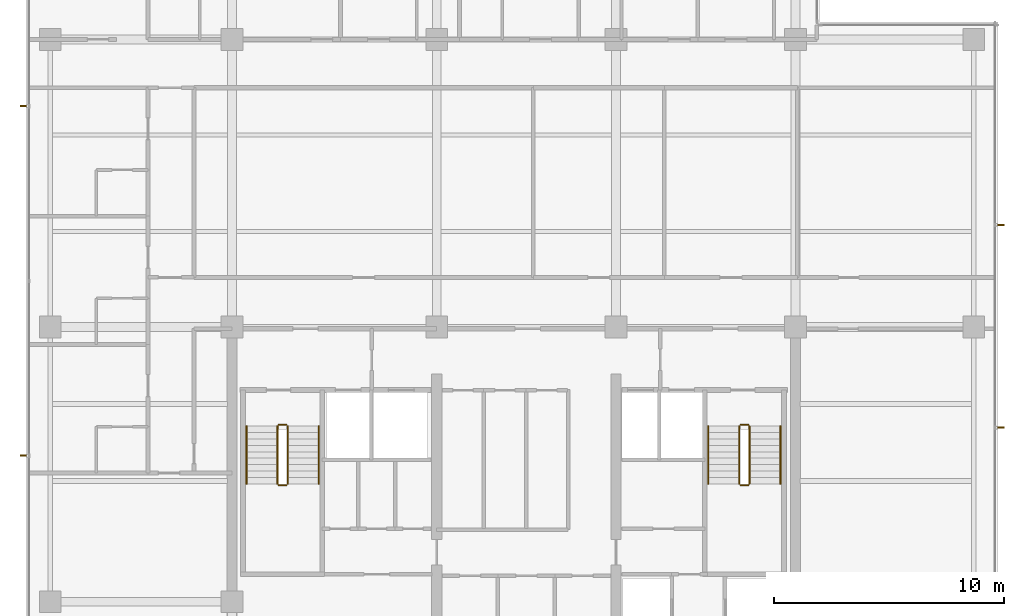
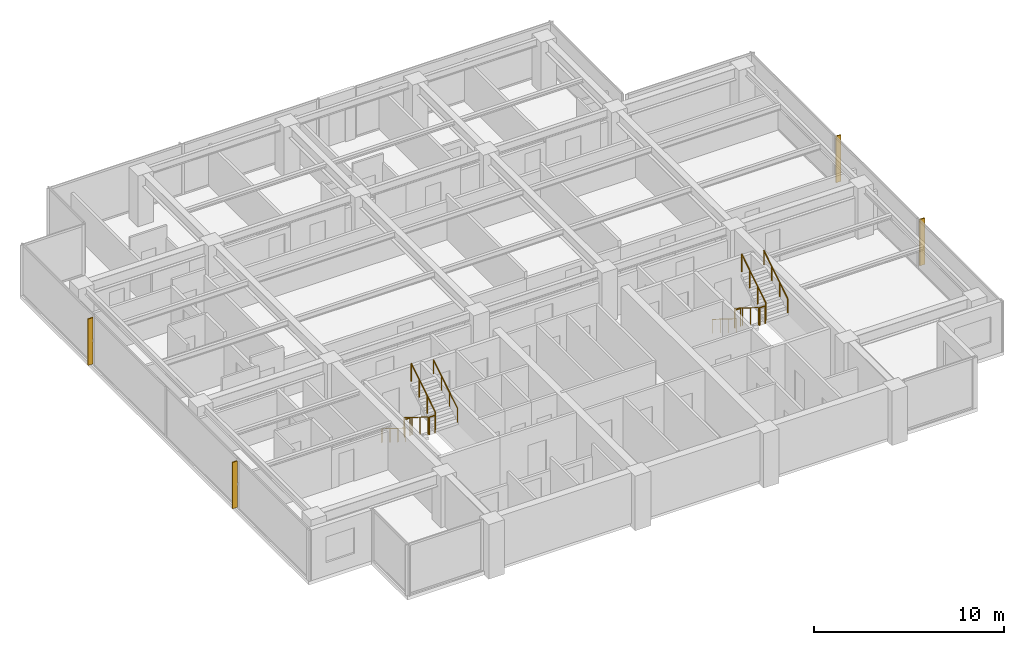
# One storey, part 14 of 15: 12 railings, 4 shading devices.
"""IFC4 building model written with IfcOpenShell, lengths in metres."""

from ifc_helpers import new_model, si_unit, direction, frame, origin, origin_2d, place, context, subcontext, project, spatial, polyline, circle, outline, extrude, material, layer, layer_set, type_object, element, save


model = new_model("IFC4")

# Units and contexts
model_context = context("Model", 3, precision=1e-05, world=origin(), true_north=direction((0.0, 1.0)))
body_context = subcontext(model_context, "Body", "Model", "MODEL_VIEW")
ifc_project = project(units=[si_unit("LENGTHUNIT", "METRE"), si_unit("AREAUNIT", "SQUARE_METRE"), si_unit("VOLUMEUNIT", "CUBIC_METRE"), si_unit("PLANEANGLEUNIT", "RADIAN"), si_unit("MASSUNIT", "GRAM", prefix="KILO")], contexts=[model_context])

# Site, building, storey
site_placement = place(None, origin())
site = spatial("IfcSite", under=ifc_project, at=site_placement, CompositionType="ELEMENT")
building_placement = place(site_placement, origin())
building = spatial("IfcBuilding", under=site, at=building_placement, Name="Qalmaran Belvedere Hotel", CompositionType="ELEMENT")
storey_placement = place(building_placement, frame((0.0, 0.0, 196.89990234375)))
storey = spatial("IfcBuildingStorey", under=building, at=storey_placement, Name="L49", CompositionType="ELEMENT", Elevation=196.89990234375)

# Shading devices
ifc_material_1 = material(Name="Anodised Bronze Aluminium", Category="aluminium")
ifc_layer = layer(ifc_material_1, 0.06494140625, Name="Anodised Bronze Aluminium")
ifc_layer_set = layer_set([ifc_layer], Name="Anodised Bronze Aluminium")
shading_device_type = type_object("IfcShadingDeviceType", Name="FIN-BRNZ-300", PredefinedType="USERDEFINED", material=ifc_layer_set)
shading_device_1_placement = place(storey_placement, frame((0.0, 0.0, 0.16015625)))
element("IfcShadingDevice", 1, at=shading_device_1_placement, inside=storey, type_object=shading_device_type, Name="L49 Bronze Fin 1", ObjectType="FIN", PredefinedType="USERDEFINED", context=body_context, shape_type="SweptSolid", body=[
    extrude(outline(polyline([(53.5673828125, 16.084228515625), (53.867431640625, 16.084228515625), (53.867431640625, 16.149169921875), (53.5673828125, 16.149169921875), (53.5673828125, 16.084228515625)])), origin(), (0.0, 0.0, 1.0), 2.97998046875),
])
shading_device_2_placement = place(storey_placement, frame((0.0, 0.0, 0.16015625)))
element("IfcShadingDevice", 2, at=shading_device_2_placement, inside=storey, type_object=shading_device_type, Name="L49 Bronze Fin 2", ObjectType="FIN", PredefinedType="USERDEFINED", context=body_context, shape_type="SweptSolid", body=[
    extrude(outline(polyline([(53.5673828125, 24.90087890625), (53.867431640625, 24.90087890625), (53.867431640625, 24.9658203125), (53.5673828125, 24.9658203125), (53.5673828125, 24.90087890625)])), origin(), (0.0, 0.0, 1.0), 2.97998046875),
])
shading_device_3_placement = place(storey_placement, frame((0.0, 0.0, 0.16015625)))
element("IfcShadingDevice", 3, at=shading_device_3_placement, inside=storey, type_object=shading_device_type, Name="L49 Bronze Fin 1", ObjectType="FIN", PredefinedType="USERDEFINED", context=body_context, shape_type="SweptSolid", body=[
    extrude(outline(polyline([(11.382568359375, 30.132568359375), (11.08251953125, 30.132568359375), (11.08251953125, 30.0673828125), (11.382568359375, 30.0673828125), (11.382568359375, 30.132568359375)])), origin(), (0.0, 0.0, 1.0), 2.97998046875),
])
shading_device_4_placement = place(storey_placement, frame((0.0, 0.0, 0.16015625)))
element("IfcShadingDevice", 4, at=shading_device_4_placement, inside=storey, type_object=shading_device_type, Name="L49 Bronze Fin 3", ObjectType="FIN", PredefinedType="USERDEFINED", context=body_context, shape_type="SweptSolid", body=[
    extrude(outline(polyline([(11.382568359375, 14.9326171875), (11.08251953125, 14.9326171875), (11.08251953125, 14.867431640625), (11.382568359375, 14.867431640625), (11.382568359375, 14.9326171875)])), origin(), (0.0, 0.0, 1.0), 2.97998046875),
])

# Railings
ifc_material_2 = material(Name="Stainless Steel 1.4401", Category="steel")
railing_type_1 = type_object("IfcRailingType", Name="RLG-STAIR-GUARD-1150", PredefinedType="GUARDRAIL", material=ifc_material_2)
railing_1_placement = place(storey_placement, frame((22.280029296875, 16.18994140625, 0.175048828125)))
element("IfcRailing", 5, at=railing_1_placement, inside=storey, type_object=railing_type_1, Name="L49 ST-1 stair guard 1", PredefinedType="GUARDRAIL", context=body_context, shape_type="SweptSolid", body=[
    extrude(circle(Radius=0.02392578125, at=origin_2d()), frame((0.0, 0.0, 1.1259765625), z_axis=(0.0, -0.848007534815, 0.529984170421), x_axis=(1.0, 0.0, 0.0)), (0.0, 0.0, 1.0), 2.9716796875),
    extrude(circle(Radius=0.02099609375, at=origin_2d()), origin(), (0.0, 0.0, 1.0), 1.101806640625),
    extrude(circle(Radius=0.02099609375, at=origin_2d()), frame((0.0, -0.840087890625, 0.52490234375)), (0.0, 0.0, 1.0), 1.101806640625),
    extrude(circle(Radius=0.02099609375, at=origin_2d()), frame((0.0, -1.679931640625, 1.050048828125)), (0.0, 0.0, 1.0), 1.101806640625),
    extrude(circle(Radius=0.02099609375, at=origin_2d()), frame((0.0, -2.52001953125, 1.574951171875)), (0.0, 0.0, 1.0), 1.101806640625),
])
railing_2_placement = place(storey_placement, frame((22.330078125, 13.6201171875, 1.75)))
element("IfcRailing", 6, at=railing_2_placement, inside=storey, type_object=railing_type_1, Name="L49 ST-1 stair guard 2", PredefinedType="GUARDRAIL", context=body_context, shape_type="SweptSolid", body=[
    extrude(circle(Radius=0.02392578125, at=origin_2d()), frame((0.0, 0.0, 1.1259765625), z_axis=(1.0, 0.0, 0.0), x_axis=(0.0, 1.0, 0.0)), (0.0, 0.0, 1.0), 0.33984375),
    extrude(circle(Radius=0.02099609375, at=origin_2d()), origin(), (0.0, 0.0, 1.0), 1.101806640625),
    extrude(circle(Radius=0.02099609375, at=origin_2d()), frame((0.33984375, 0.0, 0.0)), (0.0, 0.0, 1.0), 1.101806640625),
])
railing_3_placement = place(storey_placement, frame((22.719970703125, 13.669921875, 1.925048828125)))
element("IfcRailing", 7, at=railing_3_placement, inside=storey, type_object=railing_type_1, Name="L49 ST-1 stair guard 3", PredefinedType="GUARDRAIL", context=body_context, shape_type="SweptSolid", body=[
    extrude(circle(Radius=0.02392578125, at=origin_2d()), frame((0.0, 0.0, 1.1259765625), z_axis=(0.0, 0.848007534815, 0.529984170421), x_axis=(-1.0, 0.0, 0.0)), (0.0, 0.0, 1.0), 2.9716796875),
    extrude(circle(Radius=0.02099609375, at=origin_2d()), origin(), (0.0, 0.0, 1.0), 1.101806640625),
    extrude(circle(Radius=0.02099609375, at=origin_2d()), frame((0.0, 0.840087890625, 0.52490234375)), (0.0, 0.0, 1.0), 1.101806640625),
    extrude(circle(Radius=0.02099609375, at=origin_2d()), frame((0.0, 1.679931640625, 1.050048828125)), (0.0, 0.0, 1.0), 1.101806640625),
    extrude(circle(Radius=0.02099609375, at=origin_2d()), frame((0.0, 2.52001953125, 1.574951171875)), (0.0, 0.0, 1.0), 1.101806640625),
])
railing_4_placement = place(storey_placement, frame((22.330078125, 16.239990234375, 0.0)))
element("IfcRailing", 8, at=railing_4_placement, inside=storey, type_object=railing_type_1, Name="L49 ST-1 stair guard 4", PredefinedType="GUARDRAIL", context=body_context, shape_type="SweptSolid", body=[
    extrude(circle(Radius=0.02392578125, at=origin_2d()), frame((0.0, 0.0, 1.1259765625), z_axis=(1.0, 0.0, 0.0), x_axis=(0.0, 1.0, 0.0)), (0.0, 0.0, 1.0), 0.33984375),
    extrude(circle(Radius=0.02099609375, at=origin_2d()), origin(), (0.0, 0.0, 1.0), 1.101806640625),
    extrude(circle(Radius=0.02099609375, at=origin_2d()), frame((0.33984375, 0.0, 0.0)), (0.0, 0.0, 1.0), 1.101806640625),
])
railing_5_placement = place(storey_placement, frame((42.360107421875, 16.18994140625, 0.175048828125)))
element("IfcRailing", 9, at=railing_5_placement, inside=storey, type_object=railing_type_1, Name="L49 ST-2 stair guard 1", PredefinedType="GUARDRAIL", context=body_context, shape_type="SweptSolid", body=[
    extrude(circle(Radius=0.02392578125, at=origin_2d()), frame((0.0, 0.0, 1.1259765625), z_axis=(0.0, -0.848007534815, 0.529984170421), x_axis=(1.0, 0.0, 0.0)), (0.0, 0.0, 1.0), 2.9716796875),
    extrude(circle(Radius=0.02099609375, at=origin_2d()), origin(), (0.0, 0.0, 1.0), 1.101806640625),
    extrude(circle(Radius=0.02099609375, at=origin_2d()), frame((0.0, -0.840087890625, 0.52490234375)), (0.0, 0.0, 1.0), 1.101806640625),
    extrude(circle(Radius=0.02099609375, at=origin_2d()), frame((0.0, -1.679931640625, 1.050048828125)), (0.0, 0.0, 1.0), 1.101806640625),
    extrude(circle(Radius=0.02099609375, at=origin_2d()), frame((0.0, -2.52001953125, 1.574951171875)), (0.0, 0.0, 1.0), 1.101806640625),
])
railing_6_placement = place(storey_placement, frame((42.409912109375, 13.6201171875, 1.75)))
element("IfcRailing", 10, at=railing_6_placement, inside=storey, type_object=railing_type_1, Name="L49 ST-2 stair guard 2", PredefinedType="GUARDRAIL", context=body_context, shape_type="SweptSolid", body=[
    extrude(circle(Radius=0.02392578125, at=origin_2d()), frame((0.0, 0.0, 1.1259765625), z_axis=(1.0, 0.0, 0.0), x_axis=(0.0, 1.0, 0.0)), (0.0, 0.0, 1.0), 0.340087890625),
    extrude(circle(Radius=0.02099609375, at=origin_2d()), origin(), (0.0, 0.0, 1.0), 1.101806640625),
    extrude(circle(Radius=0.02099609375, at=origin_2d()), frame((0.340087890625, 0.0, 0.0)), (0.0, 0.0, 1.0), 1.101806640625),
])
railing_7_placement = place(storey_placement, frame((42.800048828125, 13.669921875, 1.925048828125)))
element("IfcRailing", 11, at=railing_7_placement, inside=storey, type_object=railing_type_1, Name="L49 ST-2 stair guard 3", PredefinedType="GUARDRAIL", context=body_context, shape_type="SweptSolid", body=[
    extrude(circle(Radius=0.02392578125, at=origin_2d()), frame((0.0, 0.0, 1.1259765625), z_axis=(0.0, 0.848007534815, 0.529984170421), x_axis=(-1.0, 0.0, 0.0)), (0.0, 0.0, 1.0), 2.9716796875),
    extrude(circle(Radius=0.02099609375, at=origin_2d()), origin(), (0.0, 0.0, 1.0), 1.101806640625),
    extrude(circle(Radius=0.02099609375, at=origin_2d()), frame((0.0, 0.840087890625, 0.52490234375)), (0.0, 0.0, 1.0), 1.101806640625),
    extrude(circle(Radius=0.02099609375, at=origin_2d()), frame((0.0, 1.679931640625, 1.050048828125)), (0.0, 0.0, 1.0), 1.101806640625),
    extrude(circle(Radius=0.02099609375, at=origin_2d()), frame((0.0, 2.52001953125, 1.574951171875)), (0.0, 0.0, 1.0), 1.101806640625),
])
railing_8_placement = place(storey_placement, frame((42.409912109375, 16.239990234375, 0.0)))
element("IfcRailing", 12, at=railing_8_placement, inside=storey, type_object=railing_type_1, Name="L49 ST-2 stair guard 4", PredefinedType="GUARDRAIL", context=body_context, shape_type="SweptSolid", body=[
    extrude(circle(Radius=0.02392578125, at=origin_2d()), frame((0.0, 0.0, 1.1259765625), z_axis=(1.0, 0.0, 0.0), x_axis=(0.0, 1.0, 0.0)), (0.0, 0.0, 1.0), 0.340087890625),
    extrude(circle(Radius=0.02099609375, at=origin_2d()), origin(), (0.0, 0.0, 1.0), 1.101806640625),
    extrude(circle(Radius=0.02099609375, at=origin_2d()), frame((0.340087890625, 0.0, 0.0)), (0.0, 0.0, 1.0), 1.101806640625),
])
railing_type_2 = type_object("IfcRailingType", Name="RLG-STAIR-HAND-910", PredefinedType="HANDRAIL", material=ifc_material_2)
railing_9_placement = place(storey_placement, frame((20.929931640625, 16.18994140625, 0.175048828125)))
element("IfcRailing", 13, at=railing_9_placement, inside=storey, type_object=railing_type_2, Name="L49 ST-1 stair handrail 1", PredefinedType="HANDRAIL", context=body_context, shape_type="SweptSolid", body=[
    extrude(circle(Radius=0.02392578125, at=origin_2d()), frame((0.0, 0.0, 0.8857421875), z_axis=(0.0, -0.848007534815, 0.529984170421), x_axis=(1.0, 0.0, 0.0)), (0.0, 0.0, 1.0), 2.9716796875),
    extrude(circle(Radius=0.02099609375, at=origin_2d()), origin(), (0.0, 0.0, 1.0), 0.86181640625),
    extrude(circle(Radius=0.02099609375, at=origin_2d()), frame((0.0, -0.840087890625, 0.52490234375)), (0.0, 0.0, 1.0), 0.86181640625),
    extrude(circle(Radius=0.02099609375, at=origin_2d()), frame((0.0, -1.679931640625, 1.050048828125)), (0.0, 0.0, 1.0), 0.86181640625),
    extrude(circle(Radius=0.02099609375, at=origin_2d()), frame((0.0, -2.52001953125, 1.574951171875)), (0.0, 0.0, 1.0), 0.86181640625),
])
railing_10_placement = place(storey_placement, frame((24.070068359375, 13.669921875, 1.925048828125)))
element("IfcRailing", 14, at=railing_10_placement, inside=storey, type_object=railing_type_2, Name="L49 ST-1 stair handrail 2", PredefinedType="HANDRAIL", context=body_context, shape_type="SweptSolid", body=[
    extrude(circle(Radius=0.02392578125, at=origin_2d()), frame((0.0, 0.0, 0.8857421875), z_axis=(0.0, 0.848007534815, 0.529984170421), x_axis=(-1.0, 0.0, 0.0)), (0.0, 0.0, 1.0), 2.9716796875),
    extrude(circle(Radius=0.02099609375, at=origin_2d()), origin(), (0.0, 0.0, 1.0), 0.86181640625),
    extrude(circle(Radius=0.02099609375, at=origin_2d()), frame((0.0, 0.840087890625, 0.52490234375)), (0.0, 0.0, 1.0), 0.86181640625),
    extrude(circle(Radius=0.02099609375, at=origin_2d()), frame((0.0, 1.679931640625, 1.050048828125)), (0.0, 0.0, 1.0), 0.86181640625),
    extrude(circle(Radius=0.02099609375, at=origin_2d()), frame((0.0, 2.52001953125, 1.574951171875)), (0.0, 0.0, 1.0), 0.86181640625),
])
railing_11_placement = place(storey_placement, frame((41.010009765625, 16.18994140625, 0.175048828125)))
element("IfcRailing", 15, at=railing_11_placement, inside=storey, type_object=railing_type_2, Name="L49 ST-2 stair handrail 1", PredefinedType="HANDRAIL", context=body_context, shape_type="SweptSolid", body=[
    extrude(circle(Radius=0.02392578125, at=origin_2d()), frame((0.0, 0.0, 0.8857421875), z_axis=(0.0, -0.848007534815, 0.529984170421), x_axis=(1.0, 0.0, 0.0)), (0.0, 0.0, 1.0), 2.9716796875),
    extrude(circle(Radius=0.02099609375, at=origin_2d()), origin(), (0.0, 0.0, 1.0), 0.86181640625),
    extrude(circle(Radius=0.02099609375, at=origin_2d()), frame((0.0, -0.840087890625, 0.52490234375)), (0.0, 0.0, 1.0), 0.86181640625),
    extrude(circle(Radius=0.02099609375, at=origin_2d()), frame((0.0, -1.679931640625, 1.050048828125)), (0.0, 0.0, 1.0), 0.86181640625),
    extrude(circle(Radius=0.02099609375, at=origin_2d()), frame((0.0, -2.52001953125, 1.574951171875)), (0.0, 0.0, 1.0), 0.86181640625),
])
railing_12_placement = place(storey_placement, frame((44.14990234375, 13.669921875, 1.925048828125)))
element("IfcRailing", 16, at=railing_12_placement, inside=storey, type_object=railing_type_2, Name="L49 ST-2 stair handrail 2", PredefinedType="HANDRAIL", context=body_context, shape_type="SweptSolid", body=[
    extrude(circle(Radius=0.02392578125, at=origin_2d()), frame((0.0, 0.0, 0.8857421875), z_axis=(0.0, 0.848007534815, 0.529984170421), x_axis=(-1.0, 0.0, 0.0)), (0.0, 0.0, 1.0), 2.9716796875),
    extrude(circle(Radius=0.02099609375, at=origin_2d()), origin(), (0.0, 0.0, 1.0), 0.86181640625),
    extrude(circle(Radius=0.02099609375, at=origin_2d()), frame((0.0, 0.840087890625, 0.52490234375)), (0.0, 0.0, 1.0), 0.86181640625),
    extrude(circle(Radius=0.02099609375, at=origin_2d()), frame((0.0, 1.679931640625, 1.050048828125)), (0.0, 0.0, 1.0), 0.86181640625),
    extrude(circle(Radius=0.02099609375, at=origin_2d()), frame((0.0, 2.52001953125, 1.574951171875)), (0.0, 0.0, 1.0), 0.86181640625),
])

save(model, "model.ifc")
